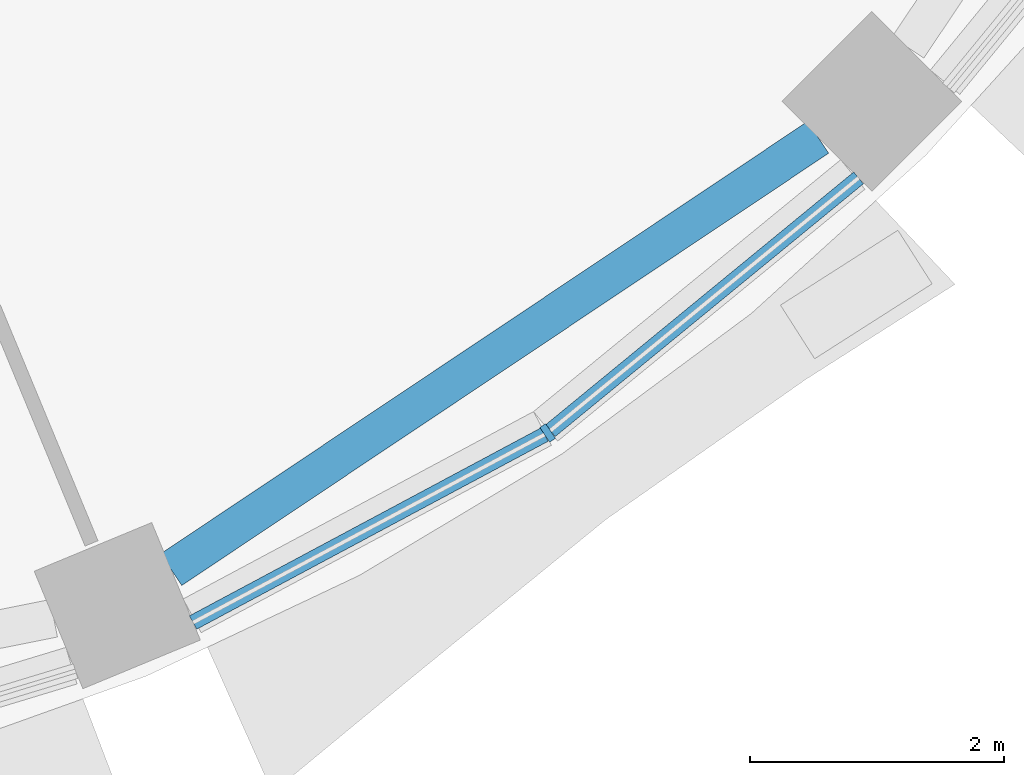
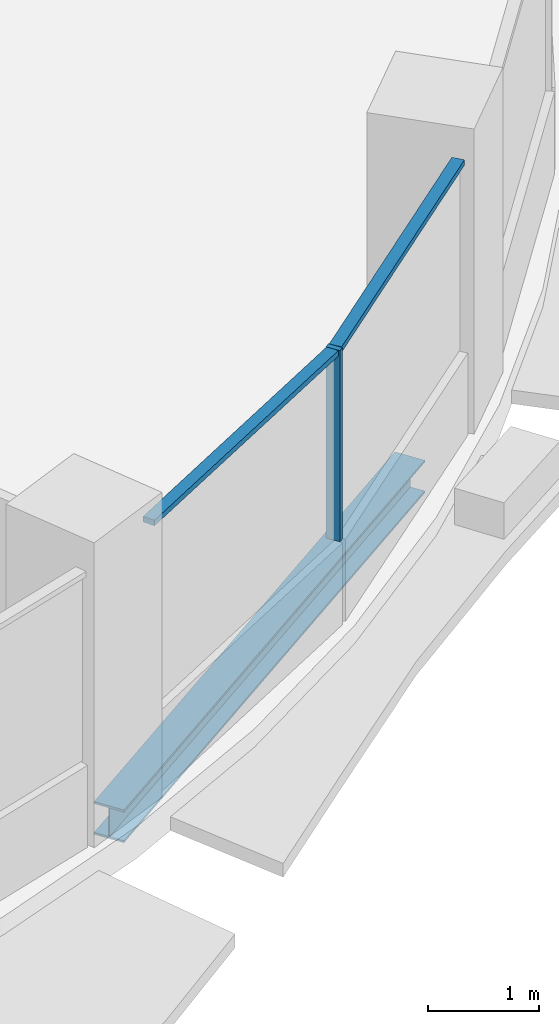
# One storey, part 3 of 14: 3 members, 1 beam, 1 element without a shape of its own.
"""IFC4 building model written with IfcOpenShell, lengths in metres."""

from ifc_helpers import new_model, si_unit, direction, frame, origin, origin_2d, place, context, subcontext, project, spatial, rectangle, i_section, extrude, material, material_profile, profile_set, type_object, element, aggregate, save


model = new_model("IFC4")

# Units and contexts
model_context = context("Model", 3, precision=1e-05, world=origin(), true_north=direction((0.0, 1.0)))
body_context = subcontext(model_context, "Body", "Model", "MODEL_VIEW")
ifc_project = project(units=[si_unit("LENGTHUNIT", "METRE"), si_unit("AREAUNIT", "SQUARE_METRE"), si_unit("VOLUMEUNIT", "CUBIC_METRE"), si_unit("PLANEANGLEUNIT", "RADIAN"), si_unit("MASSUNIT", "GRAM", prefix="KILO")], contexts=[model_context])

# Site, building, storey
site_placement = place(None, origin())
site = spatial("IfcSite", under=ifc_project, at=site_placement, CompositionType="ELEMENT")
building_placement = place(site_placement, origin())
building = spatial("IfcBuilding", under=site, at=building_placement, Name="Polderwave Tower", CompositionType="ELEMENT")
storey_placement = place(building_placement, frame((0.0, 0.0, 141.050048828125)))
storey = spatial("IfcBuildingStorey", under=building, at=storey_placement, Name="L37", CompositionType="ELEMENT", Elevation=141.050048828125)

# Curtain wall, members
ifc_material_1 = material(Name="Aluminium 6063-T6 and glass", Category="aluminium")
curtain_wall_type = type_object("IfcCurtainWallType", Name="Office ribbon glazing wall", PredefinedType="NOTDEFINED", material=ifc_material_1)
curtain_wall_placement = place(storey_placement, origin())
curtain_wall = element("IfcCurtainWall", 1, at=curtain_wall_placement, inside=storey, type_object=curtain_wall_type, Name="CW3 L37 13", PredefinedType="NOTDEFINED")
ifc_material_2 = material(Name="Aluminium 6063-T6", Category="aluminium")
ifc_material_profile_1 = material_profile(ifc_material_2, rectangle(XDim=0.139892578125, YDim=0.054931640625, at=origin_2d()), Name="AL 55x140")
ifc_profile_set_1 = profile_set([ifc_material_profile_1], Name="Aluminium 6063-T6")
member_type_1 = type_object("IfcMemberType", Name="Office ribbon glazing mullion 55x140", PredefinedType="MULLION", material=ifc_profile_set_1)
member_1_placement = place(storey_placement, frame((10.388916015625, -15.548095703125, 0.89990234375), z_axis=(0.0, 0.0, 1.0), x_axis=(-0.555512184136, 0.831508396395, 0.0)))
member_1 = element("IfcMember", 2, at=member_1_placement, type_object=member_type_1, Name="CW3 mullion 1", PredefinedType="MULLION", context=body_context, shape_type="SweptSolid", body=[
    extrude(rectangle(XDim=0.139892578125, YDim=0.054931640625, at=origin_2d()), origin(), (0.0, 0.0, 1.0), 2.10009765625),
])
ifc_material_profile_2 = material_profile(ifc_material_2, rectangle(XDim=0.1201171875, YDim=0.06005859375, at=origin_2d()), Name="AL 60x120")
ifc_profile_set_2 = profile_set([ifc_material_profile_2], Name="Aluminium 6063-T6")
member_type_2 = type_object("IfcMemberType", Name="Office ribbon glazing transom 60x120", PredefinedType="USERDEFINED", material=ifc_profile_set_2)
member_2_placement = place(storey_placement, frame((7.59912109375, -17.0400390625, 2.969970703125), z_axis=(0.881822284691, 0.471581867996, 0.0), x_axis=(-0.471581867996, 0.881822284691, 0.0)))
member_2 = element("IfcMember", 3, at=member_2_placement, type_object=member_type_2, Name="CW3 transom 1", ObjectType="TRANSOM", PredefinedType="USERDEFINED", context=body_context, shape_type="SweptSolid", body=[
    extrude(rectangle(XDim=0.1201171875, YDim=0.06005859375, at=origin_2d()), origin(), (0.0, 0.0, 1.0), 3.13623046875),
])
member_3_placement = place(storey_placement, frame((10.410400390625, -15.530517578125, 2.969970703125), z_axis=(0.773207470816, 0.634153141657, 0.0), x_axis=(-0.634153141657, 0.773207470816, 0.0)))
member_3 = element("IfcMember", 4, at=member_3_placement, type_object=member_type_2, Name="CW3 transom 2", ObjectType="TRANSOM", PredefinedType="USERDEFINED", context=body_context, shape_type="SweptSolid", body=[
    extrude(rectangle(XDim=0.1201171875, YDim=0.06005859375, at=origin_2d()), origin(), (0.0, 0.0, 1.0), 3.1357421875),
])
aggregate(curtain_wall, [member_1, member_2, member_3])

# Beam
ifc_material_3 = material(Name="Steel S355", Category="steel")
ifc_material_profile_3 = material_profile(ifc_material_3, i_section(OverallWidth=0.300048828125, OverallDepth=0.360107421875, WebThickness=0.012451171875, FlangeThickness=0.0224609375, at=origin_2d()), Name="HE 360 B")
ifc_profile_set_3 = profile_set([ifc_material_profile_3], Name="Steel S355")
beam_type = type_object("IfcBeamType", Name="RING BEAM HE 360 B", PredefinedType="BEAM", material=ifc_profile_set_3)
beam_placement = place(storey_placement, frame((7.427001953125, -16.623779296875, -0.530029296875), z_axis=(0.831472997284, 0.555565167003, 0.0), x_axis=(-0.555565167003, 0.831472997284, 0.0)))
element("IfcBeam", 5, at=beam_placement, inside=storey, type_object=beam_type, Name="ST-RB-L37-13", PredefinedType="BEAM", context=body_context, shape_type="SweptSolid", body=[
    extrude(i_section(OverallWidth=0.300048828125, OverallDepth=0.360107421875, WebThickness=0.012451171875, FlangeThickness=0.0224609375, at=origin_2d()), origin(), (0.0, 0.0, 1.0), 6.12060546875),
])

save(model, "model.ifc")
